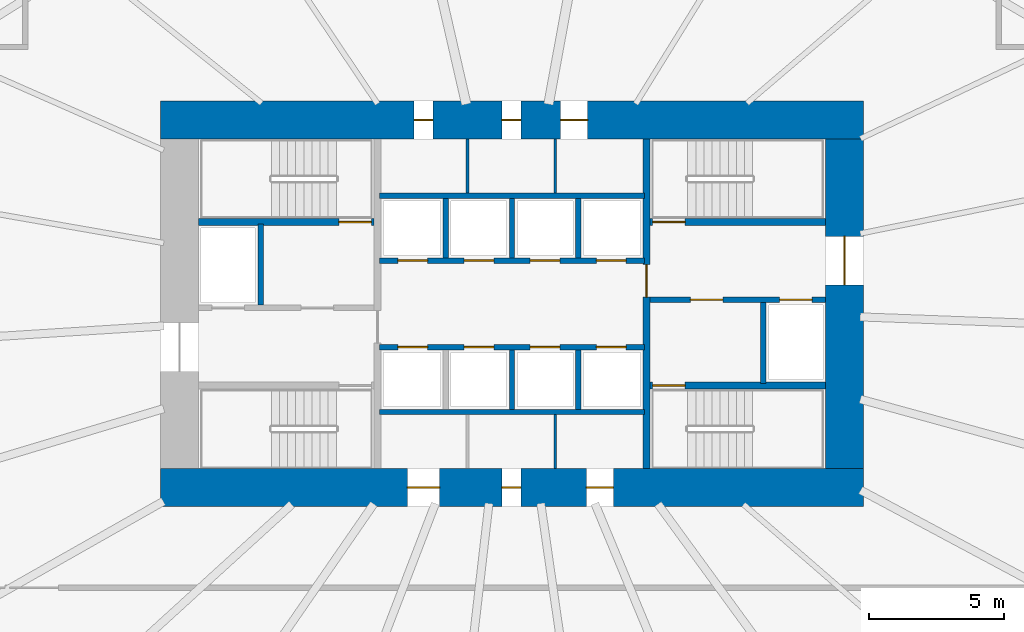
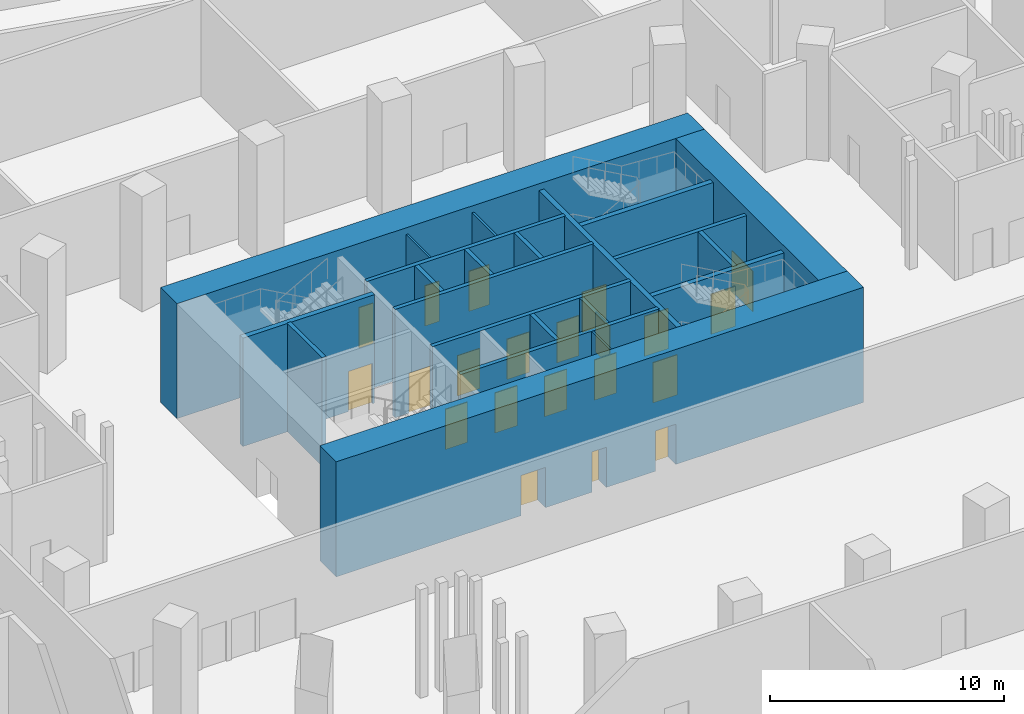
# One storey, part 6 of 19: 22 walls, 21 doors, 21 openings.
"""IFC4 building model written with IfcOpenShell, lengths in metres."""

from ifc_helpers import new_model, si_unit, direction, frame, frame_2d, origin, place, context, subcontext, project, spatial, rectangle, extrude, material, layer, layer_set, type_object, element, fill, save


model = new_model("IFC4")

# Units and contexts
model_context = context("Model", 3, precision=1e-05, world=origin(), true_north=direction((0.0, 1.0)))
body_context = subcontext(model_context, "Body", "Model", "MODEL_VIEW")
ifc_project = project(units=[si_unit("LENGTHUNIT", "METRE"), si_unit("AREAUNIT", "SQUARE_METRE"), si_unit("VOLUMEUNIT", "CUBIC_METRE"), si_unit("PLANEANGLEUNIT", "RADIAN"), si_unit("MASSUNIT", "GRAM", prefix="KILO")], contexts=[model_context])

# Site, building, storey
site_placement = place(None, origin())
site = spatial("IfcSite", under=ifc_project, at=site_placement, CompositionType="ELEMENT")
building_placement = place(site_placement, origin())
building = spatial("IfcBuilding", under=site, at=building_placement, Name="Rubra Terraces Tower", CompositionType="ELEMENT")
storey_placement = place(building_placement, frame((0.0, 0.0, -6.0)))
storey = spatial("IfcBuildingStorey", under=building, at=storey_placement, Name="B1", CompositionType="ELEMENT", Elevation=-6.0)

# Wall, openings, doors
ifc_material_1 = material(Name="Concrete C70", Category="concrete")
ifc_layer_1 = layer(ifc_material_1, 1.39990234375)
ifc_layer_set_1 = layer_set([ifc_layer_1], Name="Concrete C70")
wall_type_1 = type_object("IfcWallType", Name="CORE WALL 1400 C70", PredefinedType="SHEAR", material=ifc_layer_set_1)
wall_1_placement = place(storey_placement, frame((-13.0, 11.300048828125, 0.0), z_axis=(0.0, 0.0, 1.0), x_axis=(1.0, 0.0, 0.0)))
wall_1 = element("IfcWall", 1, at=wall_1_placement, inside=storey, type_object=wall_type_1, Name="CORE WALL N B1", PredefinedType="SHEAR", context=body_context, shape_type="SweptSolid", body=[
    extrude(rectangle(XDim=26.0, YDim=1.39990234375, at=frame_2d((13.0, 0.0))), origin(), (0.0, 0.0, 1.0), 6.0),
])
opening_1_placement = place(wall_1_placement, frame((9.375, 0.0, 0.0)))
opening_1 = element("IfcOpeningElement", 2, at=opening_1_placement, cuts=wall_1, Name="Opening B1.C24", PredefinedType="OPENING", context=body_context, shape_type="SweptSolid", body=[
    extrude(rectangle(XDim=0.699951171875, YDim=2.10009765625, at=frame_2d((0.35009765625, 1.050048828125))), frame((0.0, 0.7099609375, 0.0), z_axis=(0.0, -1.0, 0.0), x_axis=(1.0, 0.0, 0.0)), (0.0, 0.0, 1.0), 1.419921875),
])
opening_2_placement = place(wall_1_placement, frame((12.625, 0.0, 0.0)))
opening_2 = element("IfcOpeningElement", 3, at=opening_2_placement, cuts=wall_1, Name="Opening B1.C25", PredefinedType="OPENING", context=body_context, shape_type="SweptSolid", body=[
    extrude(rectangle(XDim=0.699951171875, YDim=2.10009765625, at=frame_2d((0.35009765625, 1.050048828125))), frame((0.0, 0.7099609375, 0.0), z_axis=(0.0, -1.0, 0.0), x_axis=(1.0, 0.0, 0.0)), (0.0, 0.0, 1.0), 1.419921875),
])
opening_3_placement = place(wall_1_placement, frame((14.800048828125, 0.0, 0.0)))
opening_3 = element("IfcOpeningElement", 4, at=opening_3_placement, cuts=wall_1, Name="Opening B1.C26", PredefinedType="OPENING", context=body_context, shape_type="SweptSolid", body=[
    extrude(rectangle(XDim=1.0, YDim=2.10009765625, at=frame_2d((0.5, 1.050048828125))), frame((0.0, 0.7099609375, 0.0), z_axis=(0.0, -1.0, 0.0), x_axis=(1.0, 0.0, 0.0)), (0.0, 0.0, 1.0), 1.419921875),
])
ifc_material_2 = material(Name="Painted steel", Category="steel")
door_type_1 = type_object("IfcDoorType", Name="Fire door 1000x2100 single", OperationType="NOTDEFINED", PredefinedType="DOOR", material=ifc_material_2)
door_1_placement = place(opening_3_placement, origin())
door_1 = element("IfcDoor", 5, at=door_1_placement, inside=storey, type_object=door_type_1, Name="Refuse room door", OperationType="SINGLE_SWING_RIGHT", OverallHeight=2.10009765625, OverallWidth=1.0, PredefinedType="DOOR", context=body_context, shape_type="SweptSolid", body=[
    extrude(rectangle(XDim=1.0, YDim=2.10009765625, at=frame_2d((0.5, 1.050048828125))), frame((0.0, 0.02490234375, 0.0), z_axis=(0.0, -1.0, 0.0), x_axis=(1.0, 0.0, 0.0)), (0.0, 0.0, 1.0), 0.050048828125),
])
fill(opening_3, door_1)
door_type_2 = type_object("IfcDoorType", Name="Riser access door 700x2100 single", OperationType="NOTDEFINED", PredefinedType="DOOR", material=ifc_material_2)
door_2_placement = place(opening_1_placement, origin())
door_2 = element("IfcDoor", 6, at=door_2_placement, inside=storey, type_object=door_type_2, Name="Electrical riser room door", OperationType="SINGLE_SWING_RIGHT", OverallHeight=2.10009765625, OverallWidth=0.699951171875, PredefinedType="DOOR", context=body_context, shape_type="SweptSolid", body=[
    extrude(rectangle(XDim=0.699951171875, YDim=2.10009765625, at=frame_2d((0.35009765625, 1.050048828125))), frame((0.0, 0.02490234375, 0.0), z_axis=(0.0, -1.0, 0.0), x_axis=(1.0, 0.0, 0.0)), (0.0, 0.0, 1.0), 0.050048828125),
])
fill(opening_1, door_2)
door_3_placement = place(opening_2_placement, origin())
door_3 = element("IfcDoor", 7, at=door_3_placement, inside=storey, type_object=door_type_2, Name="Telecoms room door", OperationType="SINGLE_SWING_LEFT", OverallHeight=2.10009765625, OverallWidth=0.699951171875, PredefinedType="DOOR", context=body_context, shape_type="SweptSolid", body=[
    extrude(rectangle(XDim=0.699951171875, YDim=2.10009765625, at=frame_2d((0.35009765625, 1.050048828125))), frame((0.0, 0.02490234375, 0.0), z_axis=(0.0, -1.0, 0.0), x_axis=(1.0, 0.0, 0.0)), (0.0, 0.0, 1.0), 0.050048828125),
])
fill(opening_2, door_3)

wall_2_placement = place(storey_placement, frame((-13.0, -2.300048828125, 0.0), z_axis=(0.0, 0.0, 1.0), x_axis=(1.0, 0.0, 0.0)))
wall_2 = element("IfcWall", 8, at=wall_2_placement, inside=storey, type_object=wall_type_1, Name="CORE WALL S B1", PredefinedType="SHEAR", context=body_context, shape_type="SweptSolid", body=[
    extrude(rectangle(XDim=26.0, YDim=1.39990234375, at=frame_2d((13.0, 0.0))), origin(), (0.0, 0.0, 1.0), 6.0),
])
opening_4_placement = place(wall_2_placement, frame((9.125, 0.0, 0.0)))
opening_4 = element("IfcOpeningElement", 9, at=opening_4_placement, cuts=wall_2, Name="Opening B1.C21", PredefinedType="OPENING", context=body_context, shape_type="SweptSolid", body=[
    extrude(rectangle(XDim=1.199951171875, YDim=2.10009765625, at=frame_2d((0.60009765625, 1.050048828125))), frame((0.0, 0.7099609375, 0.0), z_axis=(0.0, -1.0, 0.0), x_axis=(1.0, 0.0, 0.0)), (0.0, 0.0, 1.0), 1.419921875),
])
opening_5_placement = place(wall_2_placement, frame((12.625, 0.0, 0.0)))
opening_5 = element("IfcOpeningElement", 10, at=opening_5_placement, cuts=wall_2, Name="Opening B1.C22", PredefinedType="OPENING", context=body_context, shape_type="SweptSolid", body=[
    extrude(rectangle(XDim=0.699951171875, YDim=2.10009765625, at=frame_2d((0.35009765625, 1.050048828125))), frame((0.0, 0.7099609375, 0.0), z_axis=(0.0, -1.0, 0.0), x_axis=(1.0, 0.0, 0.0)), (0.0, 0.0, 1.0), 1.419921875),
])
opening_6_placement = place(wall_2_placement, frame((15.75, 0.0, 0.0)))
opening_6 = element("IfcOpeningElement", 11, at=opening_6_placement, cuts=wall_2, Name="Opening B1.C23", PredefinedType="OPENING", context=body_context, shape_type="SweptSolid", body=[
    extrude(rectangle(XDim=1.0, YDim=2.10009765625, at=frame_2d((0.5, 1.050048828125))), frame((0.0, 0.7099609375, 0.0), z_axis=(0.0, -1.0, 0.0), x_axis=(1.0, 0.0, 0.0)), (0.0, 0.0, 1.0), 1.419921875),
])
door_4_placement = place(opening_6_placement, origin())
door_4 = element("IfcDoor", 12, at=door_4_placement, inside=storey, type_object=door_type_1, Name="General store door", OperationType="SINGLE_SWING_LEFT", OverallHeight=2.10009765625, OverallWidth=1.0, PredefinedType="DOOR", context=body_context, shape_type="SweptSolid", body=[
    extrude(rectangle(XDim=1.0, YDim=2.10009765625, at=frame_2d((0.5, 1.050048828125))), frame((0.0, 0.02490234375, 0.0), z_axis=(0.0, -1.0, 0.0), x_axis=(1.0, 0.0, 0.0)), (0.0, 0.0, 1.0), 0.050048828125),
])
fill(opening_6, door_4)
door_type_3 = type_object("IfcDoorType", Name="Fire door 1200x2100 single", OperationType="NOTDEFINED", PredefinedType="DOOR", material=ifc_material_2)
door_5_placement = place(opening_4_placement, origin())
door_5 = element("IfcDoor", 13, at=door_5_placement, inside=storey, type_object=door_type_3, Name="Air handling plant room door", OperationType="SINGLE_SWING_LEFT", OverallHeight=2.10009765625, OverallWidth=1.199951171875, PredefinedType="DOOR", context=body_context, shape_type="SweptSolid", body=[
    extrude(rectangle(XDim=1.199951171875, YDim=2.10009765625, at=frame_2d((0.60009765625, 1.050048828125))), frame((0.0, 0.02490234375, 0.0), z_axis=(0.0, -1.0, 0.0), x_axis=(1.0, 0.0, 0.0)), (0.0, 0.0, 1.0), 0.050048828125),
])
fill(opening_4, door_5)
door_6_placement = place(opening_5_placement, origin())
door_6 = element("IfcDoor", 14, at=door_6_placement, inside=storey, type_object=door_type_2, Name="Electrical riser room door", OperationType="SINGLE_SWING_RIGHT", OverallHeight=2.10009765625, OverallWidth=0.699951171875, PredefinedType="DOOR", context=body_context, shape_type="SweptSolid", body=[
    extrude(rectangle(XDim=0.699951171875, YDim=2.10009765625, at=frame_2d((0.35009765625, 1.050048828125))), frame((0.0, 0.02490234375, 0.0), z_axis=(0.0, -1.0, 0.0), x_axis=(1.0, 0.0, 0.0)), (0.0, 0.0, 1.0), 0.050048828125),
])
fill(opening_5, door_6)

# Wall, opening, door
wall_3_placement = place(storey_placement, frame((12.300048828125, -1.60009765625, 0.0), z_axis=(0.0, 0.0, 1.0), x_axis=(0.0, 1.0, 0.0)))
wall_3 = element("IfcWall", 15, at=wall_3_placement, inside=storey, type_object=wall_type_1, Name="CORE WALL E B1", PredefinedType="SHEAR", context=body_context, shape_type="SweptSolid", body=[
    extrude(rectangle(XDim=12.2001953125, YDim=1.39990234375, at=frame_2d((6.10009765625, 0.0))), origin(), (0.0, 0.0, 1.0), 6.0),
])
opening_7_placement = place(wall_3_placement, frame((6.800048828125, 0.0, 0.0)))
opening_7 = element("IfcOpeningElement", 16, at=opening_7_placement, cuts=wall_3, Name="Opening B1.C02", PredefinedType="OPENING", context=body_context, shape_type="SweptSolid", body=[
    extrude(rectangle(XDim=1.800048828125, YDim=2.10009765625, at=frame_2d((0.89990234375, 1.050048828125))), frame((0.0, 0.7099609375, 0.0), z_axis=(0.0, -1.0, 0.0), x_axis=(1.0, 0.0, 0.0)), (0.0, 0.0, 1.0), 1.419921875),
])
door_type_4 = type_object("IfcDoorType", Name="Fire door 1800x2100 double", OperationType="NOTDEFINED", PredefinedType="DOOR", material=ifc_material_2)
door_7_placement = place(opening_7_placement, origin())
door_7 = element("IfcDoor", 17, at=door_7_placement, inside=storey, type_object=door_type_4, Name="Core entrance door FF2", OperationType="DOUBLE_DOOR_SINGLE_SWING", OverallHeight=2.10009765625, OverallWidth=1.800048828125, PredefinedType="DOOR", context=body_context, shape_type="SweptSolid", body=[
    extrude(rectangle(XDim=1.800048828125, YDim=2.10009765625, at=frame_2d((0.89990234375, 1.050048828125))), frame((0.0, 0.02490234375, 0.0), z_axis=(0.0, -1.0, 0.0), x_axis=(1.0, 0.0, 0.0)), (0.0, 0.0, 1.0), 0.050048828125),
])
fill(opening_7, door_7)

# Wall, openings, doors
ifc_material_3 = material(Name="Concrete C30", Category="concrete")
ifc_layer_2 = layer(ifc_material_3, 0.199951171875)
ifc_layer_set_2 = layer_set([ifc_layer_2], Name="Concrete C30")
wall_type_2 = type_object("IfcWallType", Name="Core wall 200 concrete", PredefinedType="SOLIDWALL", material=ifc_layer_set_2)
wall_4_placement = place(storey_placement, frame((11.60009765625, 4.64990234375, 0.0), z_axis=(0.0, 0.0, 1.0), x_axis=(-1.0, 0.0, 0.0)))
wall_4 = element("IfcWall", 18, at=wall_4_placement, inside=storey, type_object=wall_type_2, Name="STAIR WALL B1", PredefinedType="SOLIDWALL", context=body_context, shape_type="SweptSolid", body=[
    extrude(rectangle(XDim=6.5, YDim=0.199951171875, at=frame_2d((3.25, 0.0))), origin(), (0.0, 0.0, 1.0), 5.64990234375),
])
opening_8_placement = place(wall_4_placement, frame((3.800048828125, 0.0, 0.0)))
opening_8 = element("IfcOpeningElement", 19, at=opening_8_placement, cuts=wall_4, Name="Opening B1.C06", PredefinedType="OPENING", context=body_context, shape_type="SweptSolid", body=[
    extrude(rectangle(XDim=1.199951171875, YDim=2.10009765625, at=frame_2d((0.60009765625, 1.050048828125))), frame((0.0, 0.10986328125, 0.0), z_axis=(0.0, -1.0, 0.0), x_axis=(1.0, 0.0, 0.0)), (0.0, 0.0, 1.0), 0.219970703125),
])
opening_9_placement = place(wall_4_placement, frame((0.5, 0.0, 0.0)))
opening_9 = element("IfcOpeningElement", 20, at=opening_9_placement, cuts=wall_4, Name="Opening B1.C12", PredefinedType="OPENING", context=body_context, shape_type="SweptSolid", body=[
    extrude(rectangle(XDim=1.199951171875, YDim=2.10009765625, at=frame_2d((0.60009765625, 1.050048828125))), frame((0.0, 0.10986328125, 0.0), z_axis=(0.0, -1.0, 0.0), x_axis=(1.0, 0.0, 0.0)), (0.0, 0.0, 1.0), 0.219970703125),
])
door_8_placement = place(opening_8_placement, origin())
door_8 = element("IfcDoor", 21, at=door_8_placement, inside=storey, type_object=door_type_3, Name="Stair vestibule door S4", OperationType="SINGLE_SWING_RIGHT", OverallHeight=2.10009765625, OverallWidth=1.199951171875, PredefinedType="DOOR", context=body_context, shape_type="SweptSolid", body=[
    extrude(rectangle(XDim=1.199951171875, YDim=2.10009765625, at=frame_2d((0.60009765625, 1.050048828125))), frame((0.0, 0.02490234375, 0.0), z_axis=(0.0, -1.0, 0.0), x_axis=(1.0, 0.0, 0.0)), (0.0, 0.0, 1.0), 0.050048828125),
])
fill(opening_8, door_8)
ifc_material_4 = material(Name="Stainless steel", Category="steel")
door_type_5 = type_object("IfcDoorType", Name="Lift landing door 1200x2100", OperationType="NOTDEFINED", PredefinedType="DOOR", material=ifc_material_4)
door_9_placement = place(opening_9_placement, origin())
door_9 = element("IfcDoor", 22, at=door_9_placement, inside=storey, type_object=door_type_5, Name="Landing door FF2", OperationType="SLIDING_TO_RIGHT", OverallHeight=2.10009765625, OverallWidth=1.199951171875, PredefinedType="DOOR", context=body_context, shape_type="SweptSolid", body=[
    extrude(rectangle(XDim=1.199951171875, YDim=2.10009765625, at=frame_2d((0.60009765625, 1.050048828125))), frame((0.0, 0.02490234375, 0.0), z_axis=(0.0, -1.0, 0.0), x_axis=(1.0, 0.0, 0.0)), (0.0, 0.0, 1.0), 0.050048828125),
])
fill(opening_9, door_9)

# Walls
for number, where, z_axis, x_axis, name in (
    (23, (-9.300048828125, 4.449951171875, 0.0), (0.0, 0.0, 1.0), (0.0, 1.0, 0.0), "STAIR WALL B1"),
    (24, (9.300048828125, 4.550048828125, 0.0), (0.0, 0.0, 1.0), (0.0, -1.0, 0.0), "STAIR WALL B1"),
):
    element("IfcWall", number, at=place(storey_placement, frame(where, z_axis=z_axis, x_axis=x_axis)), inside=storey, type_object=wall_type_2, Name=name, PredefinedType="SOLIDWALL", context=body_context, shape_type="SweptSolid", body=[
        extrude(rectangle(XDim=3.0, YDim=0.199951171875, at=frame_2d((1.5, 0.0))), origin(), (0.0, 0.0, 1.0), 5.64990234375),
    ])
wall_5_placement = place(storey_placement, frame((-4.89990234375, 0.5, 0.0), z_axis=(0.0, 0.0, 1.0), x_axis=(1.0, 0.0, 0.0)))
element("IfcWall", 25, at=wall_5_placement, inside=storey, type_object=wall_type_2, Name="LIFT SHAFT WALL B1", PredefinedType="SOLIDWALL", context=body_context, shape_type="SweptSolid", body=[
    extrude(rectangle(XDim=9.7998046875, YDim=0.199951171875, at=frame_2d((4.89990234375, 0.0))), origin(), (0.0, 0.0, 1.0), 5.64990234375),
])

# Wall, openings, doors
wall_6_placement = place(storey_placement, frame((-4.89990234375, 2.89990234375, 0.0), z_axis=(0.0, 0.0, 1.0), x_axis=(1.0, 0.0, 0.0)))
wall_6 = element("IfcWall", 26, at=wall_6_placement, inside=storey, type_object=wall_type_2, Name="LIFT SHAFT WALL B1", PredefinedType="SOLIDWALL", context=body_context, shape_type="SweptSolid", body=[
    extrude(rectangle(XDim=9.7998046875, YDim=0.199951171875, at=frame_2d((4.89990234375, 0.0))), origin(), (0.0, 0.0, 1.0), 5.64990234375),
])
opening_10_placement = place(wall_6_placement, frame((0.675048828125, 0.0, 0.0)))
opening_10 = element("IfcOpeningElement", 27, at=opening_10_placement, cuts=wall_6, Name="Opening B1.C13", PredefinedType="OPENING", context=body_context, shape_type="SweptSolid", body=[
    extrude(rectangle(XDim=1.10009765625, YDim=2.10009765625, at=frame_2d((0.550048828125, 1.050048828125))), frame((0.0, 0.10986328125, 0.0), z_axis=(0.0, -1.0, 0.0), x_axis=(1.0, 0.0, 0.0)), (0.0, 0.0, 1.0), 0.219970703125),
])
opening_11_placement = place(wall_6_placement, frame((3.125, 0.0, 0.0)))
opening_11 = element("IfcOpeningElement", 28, at=opening_11_placement, cuts=wall_6, Name="Opening B1.C14", PredefinedType="OPENING", context=body_context, shape_type="SweptSolid", body=[
    extrude(rectangle(XDim=1.10009765625, YDim=2.10009765625, at=frame_2d((0.550048828125, 1.050048828125))), frame((0.0, 0.10986328125, 0.0), z_axis=(0.0, -1.0, 0.0), x_axis=(1.0, 0.0, 0.0)), (0.0, 0.0, 1.0), 0.219970703125),
])
opening_12_placement = place(wall_6_placement, frame((5.574951171875, 0.0, 0.0)))
opening_12 = element("IfcOpeningElement", 29, at=opening_12_placement, cuts=wall_6, Name="Opening B1.C15", PredefinedType="OPENING", context=body_context, shape_type="SweptSolid", body=[
    extrude(rectangle(XDim=1.10009765625, YDim=2.10009765625, at=frame_2d((0.550048828125, 1.050048828125))), frame((0.0, 0.10986328125, 0.0), z_axis=(0.0, -1.0, 0.0), x_axis=(1.0, 0.0, 0.0)), (0.0, 0.0, 1.0), 0.219970703125),
])
opening_13_placement = place(wall_6_placement, frame((8.02490234375, 0.0, 0.0)))
opening_13 = element("IfcOpeningElement", 30, at=opening_13_placement, cuts=wall_6, Name="Opening B1.C16", PredefinedType="OPENING", context=body_context, shape_type="SweptSolid", body=[
    extrude(rectangle(XDim=1.10009765625, YDim=2.10009765625, at=frame_2d((0.550048828125, 1.050048828125))), frame((0.0, 0.10986328125, 0.0), z_axis=(0.0, -1.0, 0.0), x_axis=(1.0, 0.0, 0.0)), (0.0, 0.0, 1.0), 0.219970703125),
])
door_type_6 = type_object("IfcDoorType", Name="Lift landing door 1100x2100", OperationType="NOTDEFINED", PredefinedType="DOOR", material=ifc_material_4)
door_10_placement = place(opening_10_placement, origin())
door_10 = element("IfcDoor", 31, at=door_10_placement, inside=storey, type_object=door_type_6, Name="Landing door LB1", OperationType="SLIDING_TO_RIGHT", OverallHeight=2.10009765625, OverallWidth=1.10009765625, PredefinedType="DOOR", context=body_context, shape_type="SweptSolid", body=[
    extrude(rectangle(XDim=1.10009765625, YDim=2.10009765625, at=frame_2d((0.550048828125, 1.050048828125))), frame((0.0, 0.02490234375, 0.0), z_axis=(0.0, -1.0, 0.0), x_axis=(1.0, 0.0, 0.0)), (0.0, 0.0, 1.0), 0.050048828125),
])
fill(opening_10, door_10)
door_11_placement = place(opening_11_placement, origin())
door_11 = element("IfcDoor", 32, at=door_11_placement, inside=storey, type_object=door_type_6, Name="Landing door LB2", OperationType="SLIDING_TO_LEFT", OverallHeight=2.10009765625, OverallWidth=1.10009765625, PredefinedType="DOOR", context=body_context, shape_type="SweptSolid", body=[
    extrude(rectangle(XDim=1.10009765625, YDim=2.10009765625, at=frame_2d((0.550048828125, 1.050048828125))), frame((0.0, 0.02490234375, 0.0), z_axis=(0.0, -1.0, 0.0), x_axis=(1.0, 0.0, 0.0)), (0.0, 0.0, 1.0), 0.050048828125),
])
fill(opening_11, door_11)
door_12_placement = place(opening_12_placement, origin())
door_12 = element("IfcDoor", 33, at=door_12_placement, inside=storey, type_object=door_type_6, Name="Landing door SH1", OperationType="SLIDING_TO_LEFT", OverallHeight=2.10009765625, OverallWidth=1.10009765625, PredefinedType="DOOR", context=body_context, shape_type="SweptSolid", body=[
    extrude(rectangle(XDim=1.10009765625, YDim=2.10009765625, at=frame_2d((0.550048828125, 1.050048828125))), frame((0.0, 0.02490234375, 0.0), z_axis=(0.0, -1.0, 0.0), x_axis=(1.0, 0.0, 0.0)), (0.0, 0.0, 1.0), 0.050048828125),
])
fill(opening_12, door_12)
door_13_placement = place(opening_13_placement, origin())
door_13 = element("IfcDoor", 34, at=door_13_placement, inside=storey, type_object=door_type_6, Name="Landing door SH2", OperationType="SLIDING_TO_RIGHT", OverallHeight=2.10009765625, OverallWidth=1.10009765625, PredefinedType="DOOR", context=body_context, shape_type="SweptSolid", body=[
    extrude(rectangle(XDim=1.10009765625, YDim=2.10009765625, at=frame_2d((0.550048828125, 1.050048828125))), frame((0.0, 0.02490234375, 0.0), z_axis=(0.0, -1.0, 0.0), x_axis=(1.0, 0.0, 0.0)), (0.0, 0.0, 1.0), 0.050048828125),
])
fill(opening_13, door_13)

wall_7_placement = place(storey_placement, frame((-4.89990234375, 6.10009765625, 0.0), z_axis=(0.0, 0.0, 1.0), x_axis=(1.0, 0.0, 0.0)))
wall_7 = element("IfcWall", 35, at=wall_7_placement, inside=storey, type_object=wall_type_2, Name="LIFT SHAFT WALL B1", PredefinedType="SOLIDWALL", context=body_context, shape_type="SweptSolid", body=[
    extrude(rectangle(XDim=9.7998046875, YDim=0.199951171875, at=frame_2d((4.89990234375, 0.0))), origin(), (0.0, 0.0, 1.0), 5.64990234375),
])
opening_14_placement = place(wall_7_placement, frame((0.675048828125, 0.0, 0.0)))
opening_14 = element("IfcOpeningElement", 36, at=opening_14_placement, cuts=wall_7, Name="Opening B1.C17", PredefinedType="OPENING", context=body_context, shape_type="SweptSolid", body=[
    extrude(rectangle(XDim=1.10009765625, YDim=2.10009765625, at=frame_2d((0.550048828125, 1.050048828125))), frame((0.0, 0.10986328125, 0.0), z_axis=(0.0, -1.0, 0.0), x_axis=(1.0, 0.0, 0.0)), (0.0, 0.0, 1.0), 0.219970703125),
])
opening_15_placement = place(wall_7_placement, frame((3.125, 0.0, 0.0)))
opening_15 = element("IfcOpeningElement", 37, at=opening_15_placement, cuts=wall_7, Name="Opening B1.C18", PredefinedType="OPENING", context=body_context, shape_type="SweptSolid", body=[
    extrude(rectangle(XDim=1.10009765625, YDim=2.10009765625, at=frame_2d((0.550048828125, 1.050048828125))), frame((0.0, 0.10986328125, 0.0), z_axis=(0.0, -1.0, 0.0), x_axis=(1.0, 0.0, 0.0)), (0.0, 0.0, 1.0), 0.219970703125),
])
opening_16_placement = place(wall_7_placement, frame((5.574951171875, 0.0, 0.0)))
opening_16 = element("IfcOpeningElement", 38, at=opening_16_placement, cuts=wall_7, Name="Opening B1.C19", PredefinedType="OPENING", context=body_context, shape_type="SweptSolid", body=[
    extrude(rectangle(XDim=1.10009765625, YDim=2.10009765625, at=frame_2d((0.550048828125, 1.050048828125))), frame((0.0, 0.10986328125, 0.0), z_axis=(0.0, -1.0, 0.0), x_axis=(1.0, 0.0, 0.0)), (0.0, 0.0, 1.0), 0.219970703125),
])
opening_17_placement = place(wall_7_placement, frame((8.02490234375, 0.0, 0.0)))
opening_17 = element("IfcOpeningElement", 39, at=opening_17_placement, cuts=wall_7, Name="Opening B1.C20", PredefinedType="OPENING", context=body_context, shape_type="SweptSolid", body=[
    extrude(rectangle(XDim=1.10009765625, YDim=2.10009765625, at=frame_2d((0.550048828125, 1.050048828125))), frame((0.0, 0.10986328125, 0.0), z_axis=(0.0, -1.0, 0.0), x_axis=(1.0, 0.0, 0.0)), (0.0, 0.0, 1.0), 0.219970703125),
])
door_14_placement = place(opening_14_placement, origin())
door_14 = element("IfcDoor", 40, at=door_14_placement, inside=storey, type_object=door_type_6, Name="Landing door LB3", OperationType="SLIDING_TO_RIGHT", OverallHeight=2.10009765625, OverallWidth=1.10009765625, PredefinedType="DOOR", context=body_context, shape_type="SweptSolid", body=[
    extrude(rectangle(XDim=1.10009765625, YDim=2.10009765625, at=frame_2d((0.550048828125, 1.050048828125))), frame((0.0, 0.02490234375, 0.0), z_axis=(0.0, -1.0, 0.0), x_axis=(1.0, 0.0, 0.0)), (0.0, 0.0, 1.0), 0.050048828125),
])
fill(opening_14, door_14)
door_15_placement = place(opening_15_placement, origin())
door_15 = element("IfcDoor", 41, at=door_15_placement, inside=storey, type_object=door_type_6, Name="Landing door LB4", OperationType="SLIDING_TO_LEFT", OverallHeight=2.10009765625, OverallWidth=1.10009765625, PredefinedType="DOOR", context=body_context, shape_type="SweptSolid", body=[
    extrude(rectangle(XDim=1.10009765625, YDim=2.10009765625, at=frame_2d((0.550048828125, 1.050048828125))), frame((0.0, 0.02490234375, 0.0), z_axis=(0.0, -1.0, 0.0), x_axis=(1.0, 0.0, 0.0)), (0.0, 0.0, 1.0), 0.050048828125),
])
fill(opening_15, door_15)
door_16_placement = place(opening_16_placement, origin())
door_16 = element("IfcDoor", 42, at=door_16_placement, inside=storey, type_object=door_type_6, Name="Landing door LB5", OperationType="SLIDING_TO_RIGHT", OverallHeight=2.10009765625, OverallWidth=1.10009765625, PredefinedType="DOOR", context=body_context, shape_type="SweptSolid", body=[
    extrude(rectangle(XDim=1.10009765625, YDim=2.10009765625, at=frame_2d((0.550048828125, 1.050048828125))), frame((0.0, 0.02490234375, 0.0), z_axis=(0.0, -1.0, 0.0), x_axis=(1.0, 0.0, 0.0)), (0.0, 0.0, 1.0), 0.050048828125),
])
fill(opening_16, door_16)
door_17_placement = place(opening_17_placement, origin())
door_17 = element("IfcDoor", 43, at=door_17_placement, inside=storey, type_object=door_type_6, Name="Landing door LB6", OperationType="SLIDING_TO_LEFT", OverallHeight=2.10009765625, OverallWidth=1.10009765625, PredefinedType="DOOR", context=body_context, shape_type="SweptSolid", body=[
    extrude(rectangle(XDim=1.10009765625, YDim=2.10009765625, at=frame_2d((0.550048828125, 1.050048828125))), frame((0.0, 0.02490234375, 0.0), z_axis=(0.0, -1.0, 0.0), x_axis=(1.0, 0.0, 0.0)), (0.0, 0.0, 1.0), 0.050048828125),
])
fill(opening_17, door_17)

# Walls
wall_8_placement = place(storey_placement, frame((-4.89990234375, 8.5, 0.0), z_axis=(0.0, 0.0, 1.0), x_axis=(1.0, 0.0, 0.0)))
element("IfcWall", 44, at=wall_8_placement, inside=storey, type_object=wall_type_2, Name="LIFT SHAFT WALL B1", PredefinedType="SOLIDWALL", context=body_context, shape_type="SweptSolid", body=[
    extrude(rectangle(XDim=9.7998046875, YDim=0.199951171875, at=frame_2d((4.89990234375, 0.0))), origin(), (0.0, 0.0, 1.0), 5.64990234375),
])
for number, where, z_axis, x_axis, name in (
    (45, (0.0, 0.60009765625, 0.0), (0.0, 0.0, 1.0), (0.0, 1.0, 0.0), "LIFT SHAFT WALL B1"),
    (46, (2.449951171875, 0.60009765625, 0.0), (0.0, 0.0, 1.0), (0.0, 1.0, 0.0), "LIFT SHAFT WALL B1"),
    (47, (-2.449951171875, 6.199951171875, 0.0), (0.0, 0.0, 1.0), (0.0, 1.0, 0.0), "LIFT SHAFT WALL B1"),
    (48, (0.0, 6.199951171875, 0.0), (0.0, 0.0, 1.0), (0.0, 1.0, 0.0), "LIFT SHAFT WALL B1"),
    (49, (2.449951171875, 6.199951171875, 0.0), (0.0, 0.0, 1.0), (0.0, 1.0, 0.0), "LIFT SHAFT WALL B1"),
):
    element("IfcWall", number, at=place(storey_placement, frame(where, z_axis=z_axis, x_axis=x_axis)), inside=storey, type_object=wall_type_2, Name=name, PredefinedType="SOLIDWALL", context=body_context, shape_type="SweptSolid", body=[
        extrude(rectangle(XDim=2.199951171875, YDim=0.199951171875, at=frame_2d((1.10009765625, 0.0))), origin(), (0.0, 0.0, 1.0), 5.64990234375),
    ])
ifc_material_5 = material(Name="Blockwork", Category="masonry")
ifc_layer_3 = layer(ifc_material_5, 0.10009765625)
ifc_layer_set_3 = layer_set([ifc_layer_3], Name="Blockwork")
wall_type_3 = type_object("IfcWallType", Name="Service partition 100 blockwork", PredefinedType="PARTITIONING", material=ifc_layer_set_3)
for number, where, z_axis, x_axis, name in (
    (50, (1.60009765625, -1.60009765625, 0.0), (0.0, 0.0, 1.0), (0.0, 1.0, 0.0), "SERVICE ROOM PARTITION B1"),
    (51, (-1.64990234375, 8.60009765625, 0.0), (0.0, 0.0, 1.0), (0.0, 1.0, 0.0), "SERVICE ROOM PARTITION B1"),
    (52, (1.60009765625, 8.60009765625, 0.0), (0.0, 0.0, 1.0), (0.0, 1.0, 0.0), "SERVICE ROOM PARTITION B1"),
):
    element("IfcWall", number, at=place(storey_placement, frame(where, z_axis=z_axis, x_axis=x_axis)), inside=storey, type_object=wall_type_3, Name=name, PredefinedType="PARTITIONING", context=body_context, shape_type="SweptSolid", body=[
        extrude(rectangle(XDim=2.0, YDim=0.10009765625, at=frame_2d((1.0, 0.0))), origin(), (0.0, 0.0, 1.0), 5.64990234375),
    ])

# Wall, opening, door
ifc_material_6 = material(Name="Concrete C40", Category="concrete")
ifc_layer_4 = layer(ifc_material_6, 0.25)
ifc_layer_set_4 = layer_set([ifc_layer_4], Name="Concrete C40")
wall_type_4 = type_object("IfcWallType", Name="Stair enclosure wall 250 concrete", PredefinedType="SOLIDWALL", material=ifc_layer_set_4)
wall_9_placement = place(storey_placement, frame((11.60009765625, 7.52490234375, 0.0), z_axis=(0.0, 0.0, 1.0), x_axis=(-1.0, 0.0, 0.0)))
wall_9 = element("IfcWall", 53, at=wall_9_placement, inside=storey, type_object=wall_type_4, Name="STAIR WALL B1", PredefinedType="SOLIDWALL", context=body_context, shape_type="SweptSolid", body=[
    extrude(rectangle(XDim=6.5, YDim=0.25, at=frame_2d((3.25, 0.0))), origin(), (0.0, 0.0, 1.0), 5.64990234375),
])
opening_18_placement = place(wall_9_placement, frame((5.199951171875, 0.0, 0.0)))
opening_18 = element("IfcOpeningElement", 54, at=opening_18_placement, cuts=wall_9, Name="Opening B1.C08", PredefinedType="OPENING", context=body_context, shape_type="SweptSolid", body=[
    extrude(rectangle(XDim=1.199951171875, YDim=2.10009765625, at=frame_2d((0.60009765625, 1.050048828125))), frame((0.0, 0.135009765625, 0.0), z_axis=(0.0, -1.0, 0.0), x_axis=(1.0, 0.0, 0.0)), (0.0, 0.0, 1.0), 0.27001953125),
])
door_18_placement = place(opening_18_placement, origin())
door_18 = element("IfcDoor", 55, at=door_18_placement, inside=storey, type_object=door_type_3, Name="Stair door S3", OperationType="SINGLE_SWING_RIGHT", OverallHeight=2.10009765625, OverallWidth=1.199951171875, PredefinedType="DOOR", context=body_context, shape_type="SweptSolid", body=[
    extrude(rectangle(XDim=1.199951171875, YDim=2.10009765625, at=frame_2d((0.60009765625, 1.050048828125))), frame((0.0, 0.02490234375, 0.0), z_axis=(0.0, -1.0, 0.0), x_axis=(1.0, 0.0, 0.0)), (0.0, 0.0, 1.0), 0.050048828125),
])
fill(opening_18, door_18)

wall_10_placement = place(storey_placement, frame((-11.60009765625, 7.52490234375, 0.0), z_axis=(0.0, 0.0, 1.0), x_axis=(1.0, 0.0, 0.0)))
wall_10 = element("IfcWall", 56, at=wall_10_placement, inside=storey, type_object=wall_type_4, Name="STAIR WALL B1", PredefinedType="SOLIDWALL", context=body_context, shape_type="SweptSolid", body=[
    extrude(rectangle(XDim=6.5, YDim=0.25, at=frame_2d((3.25, 0.0))), origin(), (0.0, 0.0, 1.0), 5.64990234375),
])
opening_19_placement = place(wall_10_placement, frame((5.199951171875, 0.0, 0.0)))
opening_19 = element("IfcOpeningElement", 57, at=opening_19_placement, cuts=wall_10, Name="Opening B1.C09", PredefinedType="OPENING", context=body_context, shape_type="SweptSolid", body=[
    extrude(rectangle(XDim=1.199951171875, YDim=2.10009765625, at=frame_2d((0.60009765625, 1.050048828125))), frame((0.0, 0.135009765625, 0.0), z_axis=(0.0, -1.0, 0.0), x_axis=(1.0, 0.0, 0.0)), (0.0, 0.0, 1.0), 0.27001953125),
])
door_19_placement = place(opening_19_placement, origin())
door_19 = element("IfcDoor", 58, at=door_19_placement, inside=storey, type_object=door_type_3, Name="Stair door S2", OperationType="SINGLE_SWING_LEFT", OverallHeight=2.10009765625, OverallWidth=1.199951171875, PredefinedType="DOOR", context=body_context, shape_type="SweptSolid", body=[
    extrude(rectangle(XDim=1.199951171875, YDim=2.10009765625, at=frame_2d((0.60009765625, 1.050048828125))), frame((0.0, 0.02490234375, 0.0), z_axis=(0.0, -1.0, 0.0), x_axis=(1.0, 0.0, 0.0)), (0.0, 0.0, 1.0), 0.050048828125),
])
fill(opening_19, door_19)

wall_11_placement = place(storey_placement, frame((11.60009765625, 1.47509765625, 0.0), z_axis=(0.0, 0.0, 1.0), x_axis=(-1.0, 0.0, 0.0)))
wall_11 = element("IfcWall", 59, at=wall_11_placement, inside=storey, type_object=wall_type_4, Name="STAIR WALL B1", PredefinedType="SOLIDWALL", context=body_context, shape_type="SweptSolid", body=[
    extrude(rectangle(XDim=6.5, YDim=0.25, at=frame_2d((3.25, 0.0))), origin(), (0.0, 0.0, 1.0), 5.64990234375),
])
opening_20_placement = place(wall_11_placement, frame((5.199951171875, 0.0, 0.0)))
opening_20 = element("IfcOpeningElement", 60, at=opening_20_placement, cuts=wall_11, Name="Opening B1.C10", PredefinedType="OPENING", context=body_context, shape_type="SweptSolid", body=[
    extrude(rectangle(XDim=1.199951171875, YDim=2.10009765625, at=frame_2d((0.60009765625, 1.050048828125))), frame((0.0, 0.135009765625, 0.0), z_axis=(0.0, -1.0, 0.0), x_axis=(1.0, 0.0, 0.0)), (0.0, 0.0, 1.0), 0.27001953125),
])
door_20_placement = place(opening_20_placement, origin())
door_20 = element("IfcDoor", 61, at=door_20_placement, inside=storey, type_object=door_type_3, Name="Stair door S4", OperationType="SINGLE_SWING_RIGHT", OverallHeight=2.10009765625, OverallWidth=1.199951171875, PredefinedType="DOOR", context=body_context, shape_type="SweptSolid", body=[
    extrude(rectangle(XDim=1.199951171875, YDim=2.10009765625, at=frame_2d((0.60009765625, 1.050048828125))), frame((0.0, 0.02490234375, 0.0), z_axis=(0.0, -1.0, 0.0), x_axis=(1.0, 0.0, 0.0)), (0.0, 0.0, 1.0), 0.050048828125),
])
fill(opening_20, door_20)

wall_12_placement = place(storey_placement, frame((4.97509765625, 10.60009765625, 0.0), z_axis=(0.0, 0.0, 1.0), x_axis=(0.0, -1.0, 0.0)))
wall_12 = element("IfcWall", 62, at=wall_12_placement, inside=storey, type_object=wall_type_4, Name="CORE LOBBY WALL B1", PredefinedType="SOLIDWALL", context=body_context, shape_type="SweptSolid", body=[
    extrude(rectangle(XDim=12.2001953125, YDim=0.25, at=frame_2d((6.10009765625, 0.0))), origin(), (0.0, 0.0, 1.0), 5.64990234375),
])
opening_21_placement = place(wall_12_placement, frame((4.64990234375, 0.0, 0.0)))
opening_21 = element("IfcOpeningElement", 63, at=opening_21_placement, cuts=wall_12, Name="Opening B1.C04", PredefinedType="OPENING", context=body_context, shape_type="SweptSolid", body=[
    extrude(rectangle(XDim=1.199951171875, YDim=2.10009765625, at=frame_2d((0.60009765625, 1.050048828125))), frame((0.0, 0.135009765625, 0.0), z_axis=(0.0, -1.0, 0.0), x_axis=(1.0, 0.0, 0.0)), (0.0, 0.0, 1.0), 0.27001953125),
])
door_21_placement = place(opening_21_placement, origin())
door_21 = element("IfcDoor", 64, at=door_21_placement, inside=storey, type_object=door_type_3, Name="Firefighting lobby door FF2", OperationType="SINGLE_SWING_RIGHT", OverallHeight=2.10009765625, OverallWidth=1.199951171875, PredefinedType="DOOR", context=body_context, shape_type="SweptSolid", body=[
    extrude(rectangle(XDim=1.199951171875, YDim=2.10009765625, at=frame_2d((0.60009765625, 1.050048828125))), frame((0.0, 0.02490234375, 0.0), z_axis=(0.0, -1.0, 0.0), x_axis=(1.0, 0.0, 0.0)), (0.0, 0.0, 1.0), 0.050048828125),
])
fill(opening_21, door_21)

save(model, "model.ifc")
